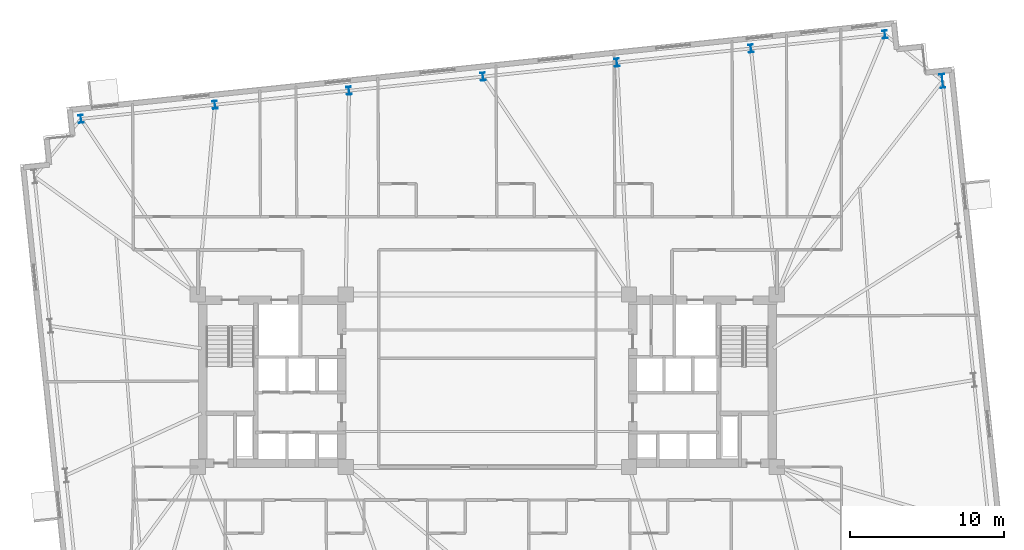
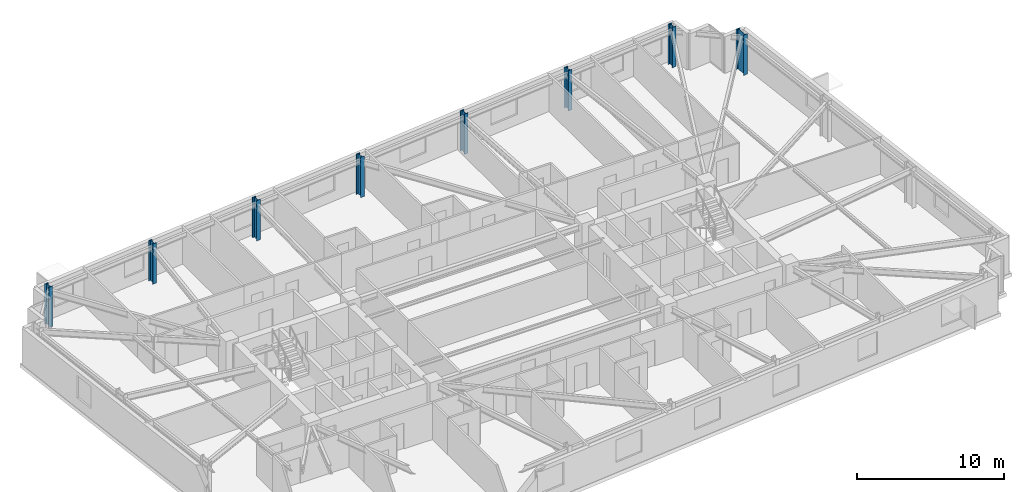
# One storey, part 3 of 18: 8 columns.
"""IFC4 building model written with IfcOpenShell, lengths in metres."""

from ifc_helpers import new_model, si_unit, direction, frame, origin, origin_2d, place, context, subcontext, project, spatial, i_section, extrude, material, material_profile, profile_set, type_object, element, save


model = new_model("IFC4")

# Units and contexts
model_context = context("Model", 3, precision=1e-05, world=origin(), true_north=direction((0.0, 1.0)))
body_context = subcontext(model_context, "Body", "Model", "MODEL_VIEW")
ifc_project = project(units=[si_unit("LENGTHUNIT", "METRE"), si_unit("AREAUNIT", "SQUARE_METRE"), si_unit("VOLUMEUNIT", "CUBIC_METRE"), si_unit("PLANEANGLEUNIT", "RADIAN"), si_unit("MASSUNIT", "GRAM", prefix="KILO")], contexts=[model_context])

# Site, building, storey
site_placement = place(None, origin())
site = spatial("IfcSite", under=ifc_project, at=site_placement, CompositionType="ELEMENT")
building_placement = place(site_placement, origin())
building = spatial("IfcBuilding", under=site, at=building_placement, Name="Qobustan Lattice House", CompositionType="ELEMENT")
storey_placement = place(building_placement, frame((0.0, 0.0, 119.199951171875)))
storey = spatial("IfcBuildingStorey", under=building, at=storey_placement, Name="L33", CompositionType="ELEMENT", Elevation=119.199951171875)

# Columns
ifc_material_1 = material(Name="Steel S355", Category="steel")
ifc_material_profile_1 = material_profile(ifc_material_1, i_section(OverallWidth=0.300048828125, OverallDepth=0.89990234375, WebThickness=0.0185546875, FlangeThickness=0.034912109375, FilletRadius=0.030029296875, at=origin_2d()), Name="HEB900")
ifc_profile_set_1 = profile_set([ifc_material_profile_1], Name="Steel S355")
column_type_1 = type_object("IfcColumnType", Name="COL-ST-HEB900", PredefinedType="COLUMN", material=ifc_profile_set_1)
column_placement = place(storey_placement, frame((29.55615234375, 19.468994140625, 0.0), z_axis=(0.0, 0.0, 1.0), x_axis=(0.994521895368, 0.104528463268, 0.0)))
element("IfcColumn", 1, at=column_placement, inside=storey, type_object=column_type_1, Name="L33 B2 perimeter column E4", PredefinedType="COLUMN", context=body_context, shape_type="SweptSolid", body=[
    extrude(i_section(OverallWidth=0.300048828125, OverallDepth=0.89990234375, WebThickness=0.0185546875, FlangeThickness=0.034912109375, FilletRadius=0.030029296875, at=origin_2d()), origin(), (0.0, 0.0, 1.0), 3.35009765625),
])
ifc_material_2 = material(Name="Steel S355", Category="steel")
ifc_material_profile_2 = material_profile(ifc_material_2, i_section(OverallWidth=0.305908203125, OverallDepth=0.52392578125, WebThickness=0.02099609375, FlangeThickness=0.0400390625, FilletRadius=0.027099609375, at=origin_2d()), Name="HEM500")
ifc_profile_set_2 = profile_set([ifc_material_profile_2], Name="Steel S355")
column_type_2 = type_object("IfcColumnType", Name="COL-ST-HEM500", PredefinedType="COLUMN", material=ifc_profile_set_2)
for number, where, z_axis, x_axis, name in (
    (2, (25.819580078125, 22.4951171875, 0.0), (0.0, 0.0, 1.0), (0.994521895368, 0.104528463268, 0.0), "L33 B2 perimeter column N1"),
    (3, (17.117431640625, 21.580322265625, 0.0), (0.0, 0.0, 1.0), (0.994521895368, 0.104528463268, 0.0), "L33 B2 perimeter column N2"),
    (4, (8.415283203125, 20.665771484375, 0.0), (0.0, 0.0, 1.0), (0.994521895368, 0.104528463268, 0.0), "L33 B2 perimeter column N3"),
    (5, (-0.28662109375, 19.751220703125, 0.0), (0.0, 0.0, 1.0), (0.994521895368, 0.104528463268, 0.0), "L33 B2 perimeter column N4"),
    (6, (-8.98876953125, 18.83642578125, 0.0), (0.0, 0.0, 1.0), (0.994521895368, 0.104528463268, 0.0), "L33 B2 perimeter column N5"),
    (7, (-17.69091796875, 17.921875, 0.0), (0.0, 0.0, 1.0), (0.994521895368, 0.104528463268, 0.0), "L33 B2 perimeter column N6"),
    (8, (-26.392822265625, 17.007080078125, 0.0), (0.0, 0.0, 1.0), (0.994521895368, 0.104528463268, 0.0), "L33 B2 perimeter column N7"),
):
    element("IfcColumn", number, at=place(storey_placement, frame(where, z_axis=z_axis, x_axis=x_axis)), inside=storey, type_object=column_type_2, Name=name, PredefinedType="COLUMN", context=body_context, shape_type="SweptSolid", body=[
        extrude(i_section(OverallWidth=0.305908203125, OverallDepth=0.52392578125, WebThickness=0.02099609375, FlangeThickness=0.0400390625, FilletRadius=0.027099609375, at=origin_2d()), origin(), (0.0, 0.0, 1.0), 3.35009765625),
    ])

save(model, "model.ifc")
